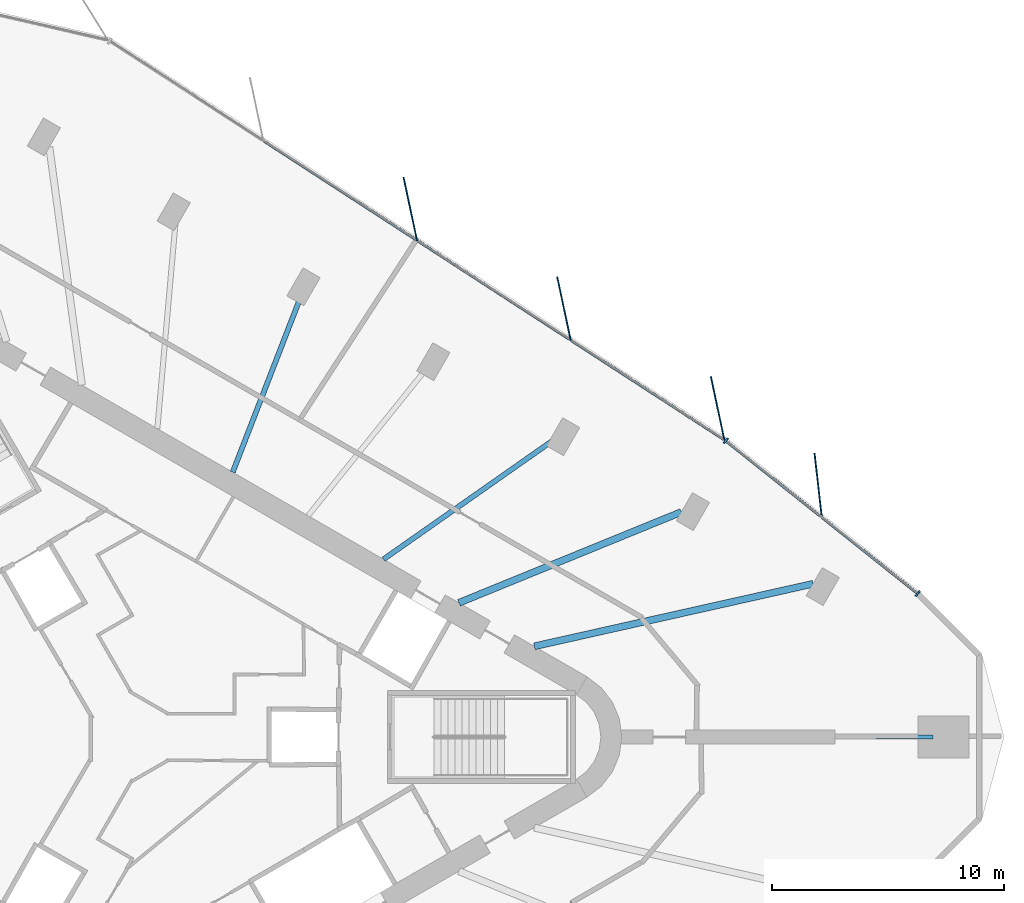
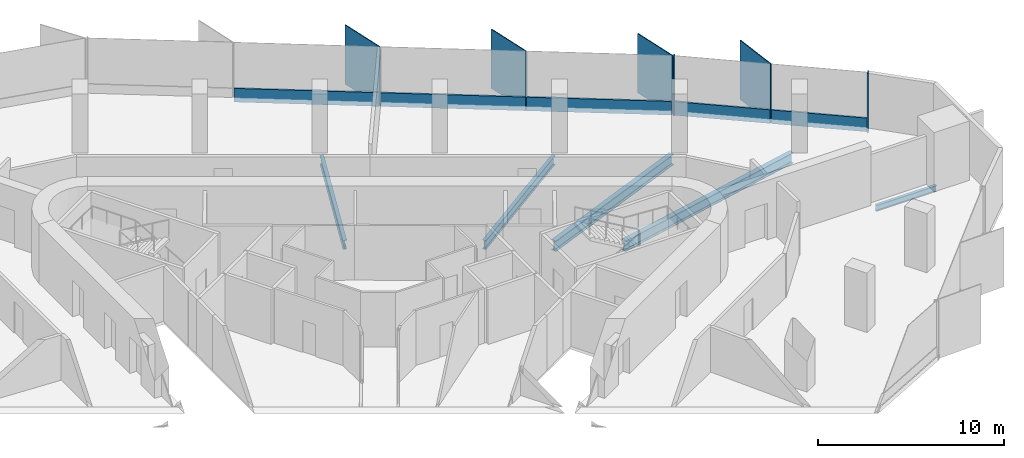
# One storey, part 5 of 13: 11 members, 5 beams, 2 elements without a shape of their own.
"""IFC4 building model written with IfcOpenShell, lengths in metres."""

from ifc_helpers import new_model, si_unit, direction, frame, origin, origin_2d, place, context, subcontext, project, spatial, rectangle, i_section, extrude, material, material_profile, profile_set, type_object, element, aggregate, save


model = new_model("IFC4")

# Units and contexts
model_context = context("Model", 3, precision=1e-05, world=origin(), true_north=direction((0.0, 1.0)))
body_context = subcontext(model_context, "Body", "Model", "MODEL_VIEW")
ifc_project = project(units=[si_unit("LENGTHUNIT", "METRE"), si_unit("AREAUNIT", "SQUARE_METRE"), si_unit("VOLUMEUNIT", "CUBIC_METRE"), si_unit("PLANEANGLEUNIT", "RADIAN"), si_unit("MASSUNIT", "GRAM", prefix="KILO")], contexts=[model_context])

# Site, building, storey
site_placement = place(None, origin())
site = spatial("IfcSite", under=ifc_project, at=site_placement, CompositionType="ELEMENT")
building_placement = place(site_placement, origin())
building = spatial("IfcBuilding", under=site, at=building_placement, Name="Tanit Gate Tower", CompositionType="ELEMENT")
storey_placement = place(building_placement, frame((0.0, 0.0, 310.39990234375)))
storey = spatial("IfcBuildingStorey", under=building, at=storey_placement, Name="L69", CompositionType="ELEMENT", Elevation=310.39990234375)

# Curtain wall, member
ifc_material_1 = material(Name="Aluminium bronze anodised and glass", Category="aluminium")
curtain_wall_type = type_object("IfcCurtainWallType", Name="Curtain wall typical high", PredefinedType="NOTDEFINED", material=ifc_material_1)
curtain_wall_1_placement = place(storey_placement, origin())
curtain_wall_1 = element("IfcCurtainWall", 1, at=curtain_wall_1_placement, inside=storey, type_object=curtain_wall_type, Name="Curtain wall L69 NE1", PredefinedType="NOTDEFINED")
ifc_material_2 = material(Name="Aluminium bronze anodised", Category="aluminium")
ifc_material_profile_1 = material_profile(ifc_material_2, rectangle(XDim=2.800048828125, YDim=0.055908203125, at=origin_2d()), Name="56x2800 bronze fin mullion")
ifc_profile_set_1 = profile_set([ifc_material_profile_1], Name="Aluminium bronze anodised")
member_type_1 = type_object("IfcMemberType", Name="FIN MULLION 56x2800 bronze", PredefinedType="MULLION", material=ifc_profile_set_1)
member_1_placement = place(storey_placement, frame((29.66943359375, 10.850830078125, -0.2998046875), z_axis=(0.0, 0.0, 1.0), x_axis=(0.112781619108, -0.993619799718, 0.0)))
member_1 = element("IfcMember", 2, at=member_1_placement, type_object=member_type_1, Name="Fin mullion L69 NE1.2", PredefinedType="MULLION", context=body_context, shape_type="SweptSolid", body=[
    extrude(rectangle(XDim=2.800048828125, YDim=0.055908203125, at=origin_2d()), origin(), (0.0, 0.0, 1.0), 3.89990234375),
])

# Curtain wall, members
curtain_wall_2_placement = place(storey_placement, origin())
curtain_wall_2 = element("IfcCurtainWall", 3, at=curtain_wall_2_placement, inside=storey, type_object=curtain_wall_type, Name="Curtain wall L69 NE2", PredefinedType="NOTDEFINED")
member_2_placement = place(storey_placement, frame((25.33447265625, 14.170654296875, -0.2998046875), z_axis=(0.0, 0.0, 1.0), x_axis=(0.208237849046, -0.978078216824, 0.0)))
member_2 = element("IfcMember", 4, at=member_2_placement, type_object=member_type_1, Name="Fin mullion L69 NE2.1", PredefinedType="MULLION", context=body_context, shape_type="SweptSolid", body=[
    extrude(rectangle(XDim=2.800048828125, YDim=0.055908203125, at=origin_2d()), origin(), (0.0, 0.0, 1.0), 3.89990234375),
])
member_3_placement = place(storey_placement, frame((18.7080078125, 18.470703125, -0.2998046875), z_axis=(0.0, 0.0, 1.0), x_axis=(0.208237849046, -0.978078216824, 0.0)))
member_3 = element("IfcMember", 5, at=member_3_placement, type_object=member_type_1, Name="Fin mullion L69 NE2.2", PredefinedType="MULLION", context=body_context, shape_type="SweptSolid", body=[
    extrude(rectangle(XDim=2.800048828125, YDim=0.055908203125, at=origin_2d()), origin(), (0.0, 0.0, 1.0), 3.89990234375),
])
member_4_placement = place(storey_placement, frame((12.08154296875, 22.770751953125, -0.2998046875), z_axis=(0.0, 0.0, 1.0), x_axis=(0.208237849046, -0.978078216824, 0.0)))
member_4 = element("IfcMember", 6, at=member_4_placement, type_object=member_type_1, Name="Fin mullion L69 NE2.3", PredefinedType="MULLION", context=body_context, shape_type="SweptSolid", body=[
    extrude(rectangle(XDim=2.800048828125, YDim=0.055908203125, at=origin_2d()), origin(), (0.0, 0.0, 1.0), 3.89990234375),
])

# Member
ifc_material_3 = material(Name="Aluminium bronze anodised", Category="aluminium")
ifc_material_profile_2 = material_profile(ifc_material_3, rectangle(XDim=0.280029296875, YDim=0.080078125, at=origin_2d()), Name="80x280 bronze mullion")
ifc_profile_set_2 = profile_set([ifc_material_profile_2], Name="Aluminium bronze anodised")
member_type_2 = type_object("IfcMemberType", Name="Mullion 80x280 typical high", PredefinedType="MULLION", material=ifc_profile_set_2)
member_5_placement = place(storey_placement, frame((33.96337890625, 6.184814453125, -0.2998046875), z_axis=(0.0, 0.0, 1.0), x_axis=(-0.622846650637, -0.782343945966, 0.0)))
member_5 = element("IfcMember", 7, at=member_5_placement, type_object=member_type_2, Name="Mullion L69 NE1.1", PredefinedType="MULLION", context=body_context, shape_type="SweptSolid", body=[
    extrude(rectangle(XDim=0.280029296875, YDim=0.080078125, at=origin_2d()), origin(), (0.0, 0.0, 1.0), 3.89990234375),
])

member_6_placement = place(storey_placement, frame((25.686767578125, 12.77392578125, -0.2998046875), z_axis=(0.0, 0.0, 1.0), x_axis=(-0.622846650637, -0.782343945966, 0.0)))
member_6 = element("IfcMember", 8, at=member_6_placement, type_object=member_type_2, Name="Mullion L69 NE1.3", PredefinedType="MULLION", context=body_context, shape_type="SweptSolid", body=[
    extrude(rectangle(XDim=0.280029296875, YDim=0.080078125, at=origin_2d()), origin(), (0.0, 0.0, 1.0), 3.89990234375),
])

# Beams
ifc_material_4 = material(Name="Steel S355", Category="steel")
ifc_material_profile_3 = material_profile(ifc_material_4, i_section(OverallWidth=0.300048828125, OverallDepth=0.68994140625, WebThickness=0.014404296875, FlangeThickness=0.027099609375, FilletRadius=0.027099609375, at=origin_2d()), Name="HEA 700")
ifc_profile_set_3 = profile_set([ifc_material_profile_3], Name="Steel S355")
beam_type_1 = type_object("IfcBeamType", Name="RADIAL GIRDER HEA 700 S355", PredefinedType="BEAM", material=ifc_profile_set_3)
beam_1_placement = place(storey_placement, frame((29.446533203125, 6.605712890625, -0.64501953125), z_axis=(-0.975751261889, -0.218882331225, 0.0), x_axis=(0.218882331225, -0.975751261889, 0.0)))
element("IfcBeam", 9, at=beam_1_placement, inside=storey, type_object=beam_type_1, Name="RADIAL GIRDER", PredefinedType="BEAM", context=body_context, shape_type="SweptSolid", body=[
    extrude(i_section(OverallWidth=0.300048828125, OverallDepth=0.68994140625, WebThickness=0.014404296875, FlangeThickness=0.027099609375, FilletRadius=0.027099609375, at=origin_2d()), origin(), (0.0, 0.0, 1.0), 12.31396484375),
])
beam_2_placement = place(storey_placement, frame((23.7705078125, 9.7021484375, -0.64501953125), z_axis=(-0.925849999648, -0.377891225292, 0.0), x_axis=(0.377891225292, -0.925849999648, 0.0)))
element("IfcBeam", 10, at=beam_2_placement, inside=storey, type_object=beam_type_1, Name="RADIAL GIRDER", PredefinedType="BEAM", context=body_context, shape_type="SweptSolid", body=[
    extrude(i_section(OverallWidth=0.300048828125, OverallDepth=0.68994140625, WebThickness=0.014404296875, FlangeThickness=0.027099609375, FilletRadius=0.027099609375, at=origin_2d()), origin(), (0.0, 0.0, 1.0), 10.35888671875),
])
ifc_material_5 = material(Name="Steel S355", Category="steel")
ifc_material_profile_4 = material_profile(ifc_material_5, i_section(OverallWidth=0.179931640625, OverallDepth=0.39990234375, WebThickness=0.008544921875, FlangeThickness=0.013427734375, FilletRadius=0.02099609375, at=origin_2d()), Name="IPE 400")
ifc_profile_set_4 = profile_set([ifc_material_profile_4], Name="Steel S355")
beam_type_2 = type_object("IfcBeamType", Name="RADIAL GIRDER IPE 400 S355", PredefinedType="BEAM", material=ifc_profile_set_4)
beam_3_placement = place(storey_placement, frame((34.630615234375, 0.0, -0.5), z_axis=(-1.0, 0.0, 0.0), x_axis=(0.0, -1.0, 0.0)))
element("IfcBeam", 11, at=beam_3_placement, inside=storey, type_object=beam_type_2, Name="RADIAL GIRDER", PredefinedType="BEAM", context=body_context, shape_type="SweptSolid", body=[
    extrude(i_section(OverallWidth=0.179931640625, OverallDepth=0.39990234375, WebThickness=0.008544921875, FlangeThickness=0.013427734375, FilletRadius=0.02099609375, at=origin_2d()), origin(), (0.0, 0.0, 1.0), 3.760498046875),
])
ifc_material_6 = material(Name="Steel S355", Category="steel")
ifc_material_profile_5 = material_profile(ifc_material_6, i_section(OverallWidth=0.219970703125, OverallDepth=0.60009765625, WebThickness=0.011962890625, FlangeThickness=0.01904296875, FilletRadius=0.02392578125, at=origin_2d()), Name="IPE 600")
ifc_profile_set_5 = profile_set([ifc_material_profile_5], Name="Steel S355")
beam_type_3 = type_object("IfcBeamType", Name="RADIAL GIRDER IPE 600 S355", PredefinedType="BEAM", material=ifc_profile_set_5)
beam_4_placement = place(storey_placement, frame((18.1826171875, 12.752685546875, -0.599853515625), z_axis=(-0.818711219001, -0.574205485764, 0.0), x_axis=(0.574205485764, -0.818711219001, 0.0)))
element("IfcBeam", 12, at=beam_4_placement, inside=storey, type_object=beam_type_3, Name="RADIAL GIRDER", PredefinedType="BEAM", context=body_context, shape_type="SweptSolid", body=[
    extrude(i_section(OverallWidth=0.219970703125, OverallDepth=0.60009765625, WebThickness=0.011962890625, FlangeThickness=0.01904296875, FilletRadius=0.02392578125, at=origin_2d()), origin(), (0.0, 0.0, 1.0), 8.86083984375),
])
beam_5_placement = place(storey_placement, frame((7.36279296875, 18.99951171875, -0.599853515625), z_axis=(-0.361334449338, -0.932436279711, 0.0), x_axis=(0.932436279711, -0.361334449338, 0.0)))
element("IfcBeam", 13, at=beam_5_placement, inside=storey, type_object=beam_type_3, Name="RADIAL GIRDER", PredefinedType="BEAM", context=body_context, shape_type="SweptSolid", body=[
    extrude(i_section(OverallWidth=0.219970703125, OverallDepth=0.60009765625, WebThickness=0.011962890625, FlangeThickness=0.01904296875, FilletRadius=0.02392578125, at=origin_2d()), origin(), (0.0, 0.0, 1.0), 8.129638671875),
])

# Member
ifc_material_7 = material(Name="Aluminium bronze anodised", Category="aluminium")
ifc_material_profile_6 = material_profile(ifc_material_7, rectangle(XDim=0.1201171875, YDim=0.89990234375, at=origin_2d()), Name="120x900 bronze transom")
ifc_profile_set_6 = profile_set([ifc_material_profile_6], Name="Aluminium bronze anodised")
member_type_3 = type_object("IfcMemberType", Name="Transom 120x900 typical high", PredefinedType="USERDEFINED", material=ifc_profile_set_6)
member_7_placement = place(storey_placement, frame((33.93212890625, 6.209716796875, 0.150146484375), z_axis=(-0.78235710859, 0.622830116998, 0.0), x_axis=(-0.622830116998, -0.78235710859, 0.0)))
member_7 = element("IfcMember", 14, at=member_7_placement, type_object=member_type_3, Name="Transom L69 NE1.1", ObjectType="TRANSOM", PredefinedType="USERDEFINED", context=body_context, shape_type="SweptSolid", body=[
    extrude(rectangle(XDim=0.1201171875, YDim=0.89990234375, at=origin_2d()), origin(), (0.0, 0.0, 1.0), 5.20947265625),
])

member_8_placement = place(storey_placement, frame((29.7939453125, 9.504150390625, 0.150146484375), z_axis=(-0.782352452495, 0.622835965625, 0.0), x_axis=(-0.622835965625, -0.782352452495, 0.0)))
member_8 = element("IfcMember", 15, at=member_8_placement, type_object=member_type_3, Name="Transom L69 NE1.2", ObjectType="TRANSOM", PredefinedType="USERDEFINED", context=body_context, shape_type="SweptSolid", body=[
    extrude(rectangle(XDim=0.1201171875, YDim=0.89990234375, at=origin_2d()), origin(), (0.0, 0.0, 1.0), 5.209716796875),
])

aggregate(curtain_wall_1, [member_5, member_1, member_6, member_7, member_8])

member_9_placement = place(storey_placement, frame((25.58837890625, 12.842529296875, 0.150146484375), z_axis=(-0.838850699272, 0.544361556624, 0.0), x_axis=(-0.544361556624, -0.838850699272, 0.0)))
member_9 = element("IfcMember", 16, at=member_9_placement, type_object=member_type_3, Name="Transom L69 NE2.1", ObjectType="TRANSOM", PredefinedType="USERDEFINED", context=body_context, shape_type="SweptSolid", body=[
    extrude(rectangle(XDim=0.1201171875, YDim=0.89990234375, at=origin_2d()), origin(), (0.0, 0.0, 1.0), 7.8193359375),
])

member_10_placement = place(storey_placement, frame((18.9619140625, 17.142578125, 0.150146484375), z_axis=(-0.838850699272, 0.544361556624, 0.0), x_axis=(-0.544361556624, -0.838850699272, 0.0)))
member_10 = element("IfcMember", 17, at=member_10_placement, type_object=member_type_3, Name="Transom L69 NE2.2", ObjectType="TRANSOM", PredefinedType="USERDEFINED", context=body_context, shape_type="SweptSolid", body=[
    extrude(rectangle(XDim=0.1201171875, YDim=0.89990234375, at=origin_2d()), origin(), (0.0, 0.0, 1.0), 7.8193359375),
])

member_11_placement = place(storey_placement, frame((12.33544921875, 21.442626953125, 0.150146484375), z_axis=(-0.838850699272, 0.544361556624, 0.0), x_axis=(-0.544361556624, -0.838850699272, 0.0)))
member_11 = element("IfcMember", 18, at=member_11_placement, type_object=member_type_3, Name="Transom L69 NE2.3", ObjectType="TRANSOM", PredefinedType="USERDEFINED", context=body_context, shape_type="SweptSolid", body=[
    extrude(rectangle(XDim=0.1201171875, YDim=0.89990234375, at=origin_2d()), origin(), (0.0, 0.0, 1.0), 7.8193359375),
])

aggregate(curtain_wall_2, [member_2, member_3, member_4, member_9, member_10, member_11])

save(model, "model.ifc")
